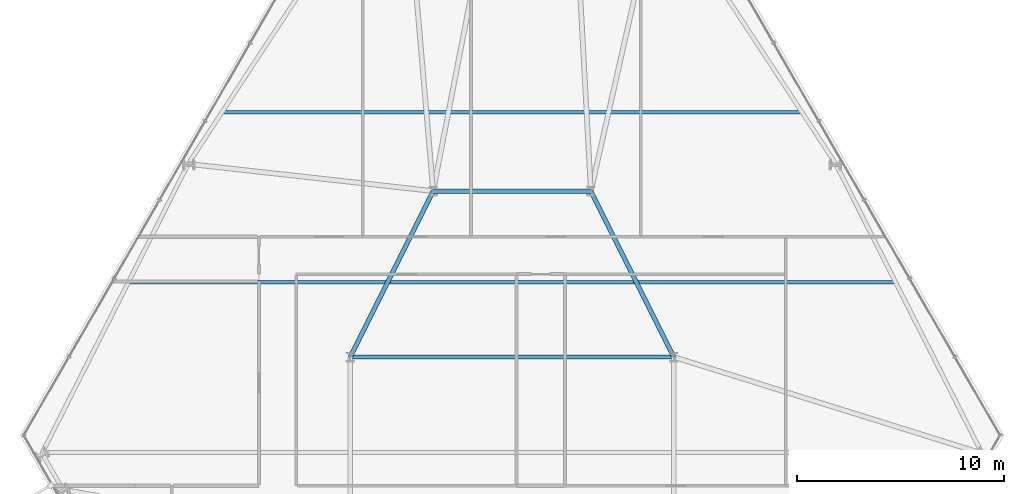
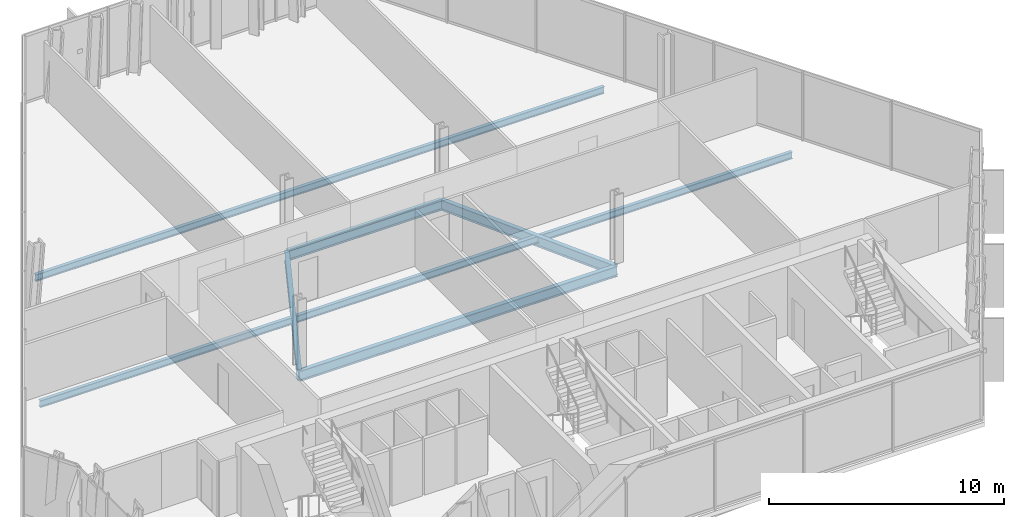
# One storey, part 13 of 33: 6 beams.
"""IFC4 building model written with IfcOpenShell, lengths in metres."""

from ifc_helpers import new_model, si_unit, direction, frame, origin, origin_2d, place, context, subcontext, project, spatial, i_section, extrude, material, material_profile, profile_set, type_object, element, save


model = new_model("IFC4")

# Units and contexts
model_context = context("Model", 3, precision=1e-05, world=origin(), true_north=direction((0.0, 1.0)))
body_context = subcontext(model_context, "Body", "Model", "MODEL_VIEW")
ifc_project = project(units=[si_unit("LENGTHUNIT", "METRE"), si_unit("AREAUNIT", "SQUARE_METRE"), si_unit("VOLUMEUNIT", "CUBIC_METRE"), si_unit("PLANEANGLEUNIT", "RADIAN"), si_unit("MASSUNIT", "GRAM", prefix="KILO")], contexts=[model_context])

# Site, building, storey
site_placement = place(None, origin())
site = spatial("IfcSite", under=ifc_project, at=site_placement, CompositionType="ELEMENT")
building_placement = place(site_placement, origin())
building = spatial("IfcBuilding", under=site, at=building_placement, Name="Ndaravel Arena Tower", CompositionType="ELEMENT")
storey_placement = place(building_placement, frame((0.0, 0.0, 43.60009765625)))
storey = spatial("IfcBuildingStorey", under=building, at=storey_placement, Name="L08", CompositionType="ELEMENT", Elevation=43.60009765625)

# Beams
ifc_material_1 = material(Name="Steel S355", Category="steel")
ifc_material_profile_1 = material_profile(ifc_material_1, i_section(OverallWidth=0.210693359375, OverallDepth=0.53955078125, WebThickness=0.01171875, FlangeThickness=0.018798828125, FilletRadius=0.0126953125, at=origin_2d()), Name="UB 533x210x109")
ifc_profile_set_1 = profile_set([ifc_material_profile_1], Name="Steel S355")
beam_type_1 = type_object("IfcBeamType", Name="BM-GIRD-UB533", PredefinedType="BEAM", material=ifc_profile_set_1)
beam_1_placement = place(storey_placement, frame((34.199951171875, 23.199951171875, -0.48974609375), z_axis=(1.0, 0.0, 0.0), x_axis=(0.0, 1.0, 0.0)))
element("IfcBeam", 1, at=beam_1_placement, inside=storey, type_object=beam_type_1, Name="L08 Spine Link Girder SLG-03", PredefinedType="BEAM", context=body_context, shape_type="SweptSolid", body=[
    extrude(i_section(OverallWidth=0.210693359375, OverallDepth=0.53955078125, WebThickness=0.01171875, FlangeThickness=0.018798828125, FilletRadius=0.0126953125, at=origin_2d()), origin(), (0.0, 0.0, 1.0), 15.60009765625),
])
for number, where, z_axis, x_axis, name in (
    (2, (34.199951171875, 23.199951171875, -0.48974609375), (0.4472135955, 0.894427191, 0.0), (-0.894427191, 0.4472135955, 0.0), "L08 Spine Link Girder SLG-04"),
    (3, (49.800048828125, 23.199951171875, -0.48974609375), (-0.4472135955, 0.894427191, 0.0), (-0.894427191, -0.4472135955, 0.0), "L08 Spine Link Girder SLG-05"),
):
    element("IfcBeam", number, at=place(storey_placement, frame(where, z_axis=z_axis, x_axis=x_axis)), inside=storey, type_object=beam_type_1, Name=name, PredefinedType="BEAM", context=body_context, shape_type="SweptSolid", body=[
        extrude(i_section(OverallWidth=0.210693359375, OverallDepth=0.53955078125, WebThickness=0.01171875, FlangeThickness=0.018798828125, FilletRadius=0.0126953125, at=origin_2d()), origin(), (0.0, 0.0, 1.0), 8.9443359375),
    ])
beam_2_placement = place(storey_placement, frame((38.199951171875, 31.199951171875, -0.48974609375), z_axis=(1.0, 0.0, 0.0), x_axis=(0.0, 1.0, 0.0)))
element("IfcBeam", 4, at=beam_2_placement, inside=storey, type_object=beam_type_1, Name="L08 Spine Link Girder SLG-06", PredefinedType="BEAM", context=body_context, shape_type="SweptSolid", body=[
    extrude(i_section(OverallWidth=0.210693359375, OverallDepth=0.53955078125, WebThickness=0.01171875, FlangeThickness=0.018798828125, FilletRadius=0.0126953125, at=origin_2d()), origin(), (0.0, 0.0, 1.0), 7.60009765625),
])
ifc_material_2 = material(Name="Steel S355", Category="steel")
ifc_material_profile_2 = material_profile(ifc_material_2, i_section(OverallWidth=0.169921875, OverallDepth=0.360107421875, WebThickness=0.008056640625, FlangeThickness=0.0126953125, FilletRadius=0.01806640625, at=origin_2d()), Name="IPE 360")
ifc_profile_set_2 = profile_set([ifc_material_profile_2], Name="Steel S355")
beam_type_2 = type_object("IfcBeamType", Name="BM-JOIST-IPE360", PredefinedType="JOIST", material=ifc_profile_set_2)
beam_3_placement = place(storey_placement, frame((23.509521484375, 26.800048828125, -0.400146484375), z_axis=(1.0, 0.0, 0.0), x_axis=(0.0, 1.0, 0.0)))
element("IfcBeam", 5, at=beam_3_placement, inside=storey, type_object=beam_type_2, Name="L08 Composite Floor Joist FJ-02", PredefinedType="JOIST", context=body_context, shape_type="SweptSolid", body=[
    extrude(i_section(OverallWidth=0.169921875, OverallDepth=0.360107421875, WebThickness=0.008056640625, FlangeThickness=0.0126953125, FilletRadius=0.01806640625, at=origin_2d()), origin(), (0.0, 0.0, 1.0), 36.98095703125),
])
beam_4_placement = place(storey_placement, frame((28.0234375, 35.0, -0.400146484375), z_axis=(1.0, 0.0, 0.0), x_axis=(0.0, 1.0, 0.0)))
element("IfcBeam", 6, at=beam_4_placement, inside=storey, type_object=beam_type_2, Name="L08 Composite Floor Joist FJ-03", PredefinedType="JOIST", context=body_context, shape_type="SweptSolid", body=[
    extrude(i_section(OverallWidth=0.169921875, OverallDepth=0.360107421875, WebThickness=0.008056640625, FlangeThickness=0.0126953125, FilletRadius=0.01806640625, at=origin_2d()), origin(), (0.0, 0.0, 1.0), 27.953125),
])

save(model, "model.ifc")
